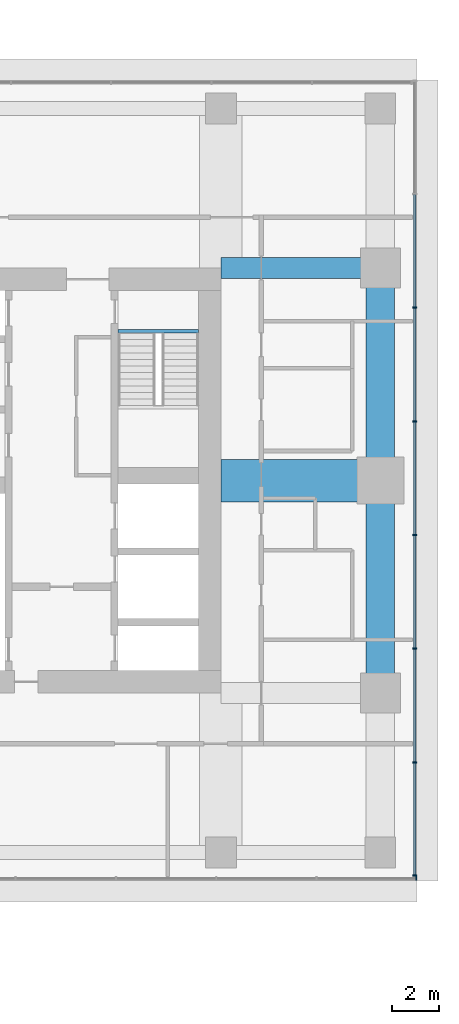
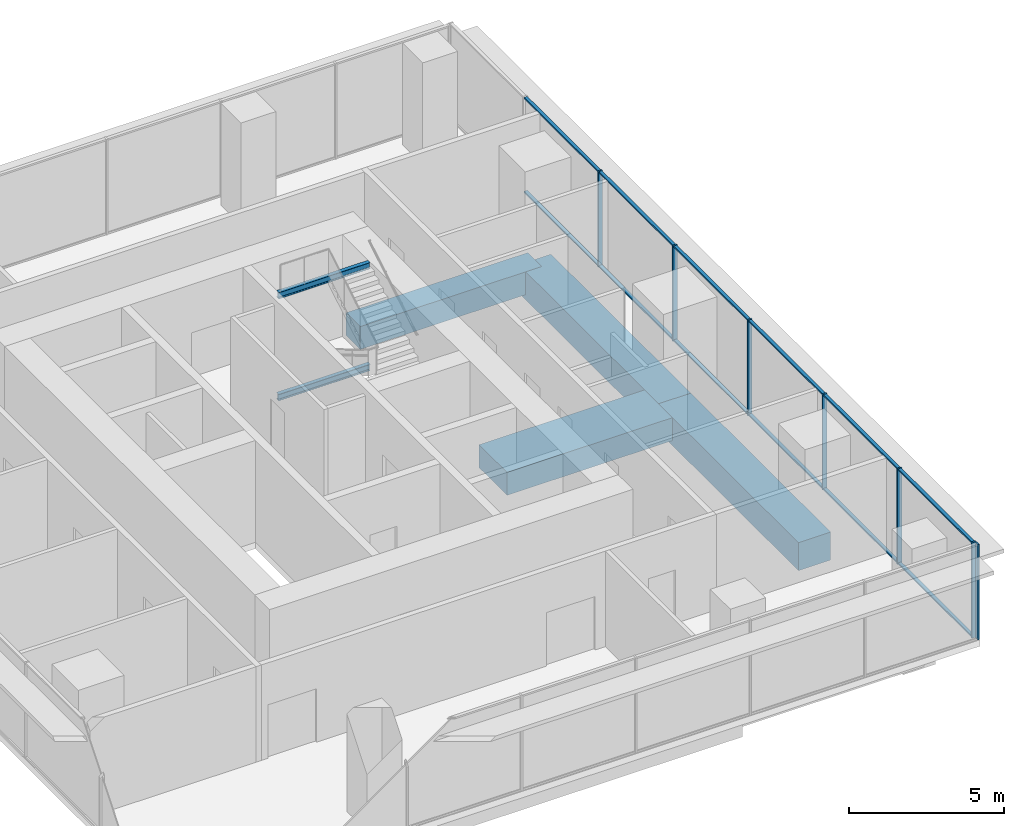
# One storey, part 4 of 14: 19 members, 6 beams, 2 elements without a shape of their own.
"""IFC4 building model written with IfcOpenShell, lengths in metres."""

from ifc_helpers import new_model, si_unit, direction, frame, origin, origin_2d, place, context, subcontext, project, spatial, rectangle, i_section, extrude, material, layer, layer_set, material_profile, profile_set, type_object, element, aggregate, save


model = new_model("IFC4")

# Units and contexts
model_context = context("Model", 3, precision=1e-05, world=origin(), true_north=direction((0.0, 1.0)))
body_context = subcontext(model_context, "Body", "Model", "MODEL_VIEW")
ifc_project = project(units=[si_unit("LENGTHUNIT", "METRE"), si_unit("AREAUNIT", "SQUARE_METRE"), si_unit("VOLUMEUNIT", "CUBIC_METRE"), si_unit("PLANEANGLEUNIT", "RADIAN"), si_unit("MASSUNIT", "GRAM", prefix="KILO")], contexts=[model_context])

# Site, building, storey
site_placement = place(None, origin())
site = spatial("IfcSite", under=ifc_project, at=site_placement, CompositionType="ELEMENT")
building_placement = place(site_placement, origin())
building = spatial("IfcBuilding", under=site, at=building_placement, Name="Namib Vertical Campus", CompositionType="ELEMENT")
storey_placement = place(building_placement, frame((0.0, 0.0, 233.0)))
storey = spatial("IfcBuildingStorey", under=building, at=storey_placement, Name="L55", CompositionType="ELEMENT", Elevation=233.0)

# Curtain wall, member
ifc_material_1 = material(Name="Black aluminium curtain wall", Category="aluminium")
ifc_layer = layer(ifc_material_1, 0.199951171875)
ifc_layer_set = layer_set([ifc_layer], Name="Sky lounge curtain wall CW-SL")
curtain_wall_type = type_object("IfcCurtainWallType", Name="Sky lounge curtain wall CW-SL", PredefinedType="USERDEFINED", material=ifc_layer_set)
curtain_wall_1_placement = place(storey_placement, origin())
curtain_wall_1 = element("IfcCurtainWall", 1, at=curtain_wall_1_placement, inside=storey, type_object=curtain_wall_type, Name="Curtain wall CW-SL L55 F01-1", ObjectType="CURTAIN WALL", PredefinedType="USERDEFINED")
ifc_material_2 = material(Name="Black anodised aluminium", Category="aluminium")
ifc_material_profile_1 = material_profile(ifc_material_2, rectangle(XDim=0.06005859375, YDim=0.159912109375, at=origin_2d()))
ifc_profile_set_1 = profile_set([ifc_material_profile_1], Name="Black anodised aluminium")
member_type_1 = type_object("IfcMemberType", Name="Curtain wall mullion 60x160", PredefinedType="MULLION", material=ifc_profile_set_1)
member_1_placement = place(storey_placement, frame((96.02001953125, 3.39990234375, 0.0), z_axis=(0.0, 0.0, 1.0), x_axis=(1.0, 0.0, 0.0)))
member_1 = element("IfcMember", 2, at=member_1_placement, type_object=member_type_1, Name="CW-SL mullion 8", PredefinedType="MULLION", context=body_context, shape_type="SweptSolid", body=[
    extrude(rectangle(XDim=0.06005859375, YDim=0.159912109375, at=origin_2d()), origin(), (0.0, 0.0, 1.0), 3.75),
])
aggregate(curtain_wall_1, [member_1])

# Curtain wall, members
curtain_wall_2_placement = place(storey_placement, origin())
curtain_wall_2 = element("IfcCurtainWall", 3, at=curtain_wall_2_placement, inside=storey, type_object=curtain_wall_type, Name="Curtain wall CW-SL L55 F02-1", ObjectType="CURTAIN WALL", PredefinedType="USERDEFINED")
member_2_placement = place(storey_placement, frame((95.949951171875, 3.530029296875, 0.0), z_axis=(0.0, 0.0, 1.0), x_axis=(0.0, 1.0, 0.0)))
member_2 = element("IfcMember", 4, at=member_2_placement, type_object=member_type_1, Name="CW-SL mullion 1", PredefinedType="MULLION", context=body_context, shape_type="SweptSolid", body=[
    extrude(rectangle(XDim=0.06005859375, YDim=0.159912109375, at=origin_2d()), origin(), (0.0, 0.0, 1.0), 3.75),
])
member_3_placement = place(storey_placement, frame((95.949951171875, 8.314208984375, 0.0), z_axis=(0.0, 0.0, 1.0), x_axis=(0.0, 1.0, 0.0)))
member_3 = element("IfcMember", 5, at=member_3_placement, type_object=member_type_1, Name="CW-SL mullion 2", PredefinedType="MULLION", context=body_context, shape_type="SweptSolid", body=[
    extrude(rectangle(XDim=0.06005859375, YDim=0.159912109375, at=origin_2d()), origin(), (0.0, 0.0, 1.0), 3.75),
])
member_4_placement = place(storey_placement, frame((95.949951171875, 13.128662109375, 0.0), z_axis=(0.0, 0.0, 1.0), x_axis=(0.0, 1.0, 0.0)))
member_4 = element("IfcMember", 6, at=member_4_placement, type_object=member_type_1, Name="CW-SL mullion 3", PredefinedType="MULLION", context=body_context, shape_type="SweptSolid", body=[
    extrude(rectangle(XDim=0.06005859375, YDim=0.159912109375, at=origin_2d()), origin(), (0.0, 0.0, 1.0), 3.75),
])
member_5_placement = place(storey_placement, frame((95.949951171875, 17.94287109375, 0.0), z_axis=(0.0, 0.0, 1.0), x_axis=(0.0, 1.0, 0.0)))
member_5 = element("IfcMember", 7, at=member_5_placement, type_object=member_type_1, Name="CW-SL mullion 4", PredefinedType="MULLION", context=body_context, shape_type="SweptSolid", body=[
    extrude(rectangle(XDim=0.06005859375, YDim=0.159912109375, at=origin_2d()), origin(), (0.0, 0.0, 1.0), 3.75),
])
member_6_placement = place(storey_placement, frame((95.949951171875, 22.757080078125, 0.0), z_axis=(0.0, 0.0, 1.0), x_axis=(0.0, 1.0, 0.0)))
member_6 = element("IfcMember", 8, at=member_6_placement, type_object=member_type_1, Name="CW-SL mullion 5", PredefinedType="MULLION", context=body_context, shape_type="SweptSolid", body=[
    extrude(rectangle(XDim=0.06005859375, YDim=0.159912109375, at=origin_2d()), origin(), (0.0, 0.0, 1.0), 3.75),
])
member_7_placement = place(storey_placement, frame((95.949951171875, 27.571533203125, 0.0), z_axis=(0.0, 0.0, 1.0), x_axis=(0.0, 1.0, 0.0)))
member_7 = element("IfcMember", 9, at=member_7_placement, type_object=member_type_1, Name="CW-SL mullion 6", PredefinedType="MULLION", context=body_context, shape_type="SweptSolid", body=[
    extrude(rectangle(XDim=0.06005859375, YDim=0.159912109375, at=origin_2d()), origin(), (0.0, 0.0, 1.0), 3.75),
])
ifc_material_3 = material(Name="Black anodised aluminium", Category="aluminium")
ifc_material_profile_2 = material_profile(ifc_material_3, rectangle(XDim=0.06005859375, YDim=0.1201171875, at=origin_2d()))
ifc_profile_set_2 = profile_set([ifc_material_profile_2], Name="Black anodised aluminium")
member_type_2 = type_object("IfcMemberType", Name="Curtain wall transom 60x120", PredefinedType="USERDEFINED", material=ifc_profile_set_2)
member_8_placement = place(storey_placement, frame((95.949951171875, 3.56005859375, 0.030029296875), z_axis=(0.0, 1.0, 0.0), x_axis=(0.0, 0.0, 1.0)))
member_8 = element("IfcMember", 10, at=member_8_placement, type_object=member_type_2, Name="CW-SL transom 1.1", ObjectType="TRANSOM", PredefinedType="USERDEFINED", context=body_context, shape_type="SweptSolid", body=[
    extrude(rectangle(XDim=0.06005859375, YDim=0.1201171875, at=origin_2d()), origin(), (0.0, 0.0, 1.0), 4.72412109375),
])
member_9_placement = place(storey_placement, frame((95.949951171875, 3.56005859375, 3.719970703125), z_axis=(0.0, 1.0, 0.0), x_axis=(0.0, 0.0, 1.0)))
member_9 = element("IfcMember", 11, at=member_9_placement, type_object=member_type_2, Name="CW-SL transom 1.2", ObjectType="TRANSOM", PredefinedType="USERDEFINED", context=body_context, shape_type="SweptSolid", body=[
    extrude(rectangle(XDim=0.06005859375, YDim=0.1201171875, at=origin_2d()), origin(), (0.0, 0.0, 1.0), 4.72412109375),
])
member_10_placement = place(storey_placement, frame((95.949951171875, 8.34423828125, 0.030029296875), z_axis=(0.0, 1.0, 0.0), x_axis=(0.0, 0.0, 1.0)))
member_10 = element("IfcMember", 12, at=member_10_placement, type_object=member_type_2, Name="CW-SL transom 2.1", ObjectType="TRANSOM", PredefinedType="USERDEFINED", context=body_context, shape_type="SweptSolid", body=[
    extrude(rectangle(XDim=0.06005859375, YDim=0.1201171875, at=origin_2d()), origin(), (0.0, 0.0, 1.0), 4.75439453125),
])
member_11_placement = place(storey_placement, frame((95.949951171875, 8.34423828125, 3.719970703125), z_axis=(0.0, 1.0, 0.0), x_axis=(0.0, 0.0, 1.0)))
member_11 = element("IfcMember", 13, at=member_11_placement, type_object=member_type_2, Name="CW-SL transom 2.2", ObjectType="TRANSOM", PredefinedType="USERDEFINED", context=body_context, shape_type="SweptSolid", body=[
    extrude(rectangle(XDim=0.06005859375, YDim=0.1201171875, at=origin_2d()), origin(), (0.0, 0.0, 1.0), 4.75439453125),
])
member_12_placement = place(storey_placement, frame((95.949951171875, 13.15869140625, 0.030029296875), z_axis=(0.0, 1.0, 0.0), x_axis=(0.0, 0.0, 1.0)))
member_12 = element("IfcMember", 14, at=member_12_placement, type_object=member_type_2, Name="CW-SL transom 3.1", ObjectType="TRANSOM", PredefinedType="USERDEFINED", context=body_context, shape_type="SweptSolid", body=[
    extrude(rectangle(XDim=0.06005859375, YDim=0.1201171875, at=origin_2d()), origin(), (0.0, 0.0, 1.0), 4.754150390625),
])
member_13_placement = place(storey_placement, frame((95.949951171875, 13.15869140625, 3.719970703125), z_axis=(0.0, 1.0, 0.0), x_axis=(0.0, 0.0, 1.0)))
member_13 = element("IfcMember", 15, at=member_13_placement, type_object=member_type_2, Name="CW-SL transom 3.2", ObjectType="TRANSOM", PredefinedType="USERDEFINED", context=body_context, shape_type="SweptSolid", body=[
    extrude(rectangle(XDim=0.06005859375, YDim=0.1201171875, at=origin_2d()), origin(), (0.0, 0.0, 1.0), 4.754150390625),
])
member_14_placement = place(storey_placement, frame((95.949951171875, 17.972900390625, 0.030029296875), z_axis=(0.0, 1.0, 0.0), x_axis=(0.0, 0.0, 1.0)))
member_14 = element("IfcMember", 16, at=member_14_placement, type_object=member_type_2, Name="CW-SL transom 4.1", ObjectType="TRANSOM", PredefinedType="USERDEFINED", context=body_context, shape_type="SweptSolid", body=[
    extrude(rectangle(XDim=0.06005859375, YDim=0.1201171875, at=origin_2d()), origin(), (0.0, 0.0, 1.0), 4.754150390625),
])
member_15_placement = place(storey_placement, frame((95.949951171875, 17.972900390625, 3.719970703125), z_axis=(0.0, 1.0, 0.0), x_axis=(0.0, 0.0, 1.0)))
member_15 = element("IfcMember", 17, at=member_15_placement, type_object=member_type_2, Name="CW-SL transom 4.2", ObjectType="TRANSOM", PredefinedType="USERDEFINED", context=body_context, shape_type="SweptSolid", body=[
    extrude(rectangle(XDim=0.06005859375, YDim=0.1201171875, at=origin_2d()), origin(), (0.0, 0.0, 1.0), 4.754150390625),
])
member_16_placement = place(storey_placement, frame((95.949951171875, 22.787109375, 0.030029296875), z_axis=(0.0, 1.0, 0.0), x_axis=(0.0, 0.0, 1.0)))
member_16 = element("IfcMember", 18, at=member_16_placement, type_object=member_type_2, Name="CW-SL transom 5.1", ObjectType="TRANSOM", PredefinedType="USERDEFINED", context=body_context, shape_type="SweptSolid", body=[
    extrude(rectangle(XDim=0.06005859375, YDim=0.1201171875, at=origin_2d()), origin(), (0.0, 0.0, 1.0), 4.75439453125),
])
member_17_placement = place(storey_placement, frame((95.949951171875, 22.787109375, 3.719970703125), z_axis=(0.0, 1.0, 0.0), x_axis=(0.0, 0.0, 1.0)))
member_17 = element("IfcMember", 19, at=member_17_placement, type_object=member_type_2, Name="CW-SL transom 5.2", ObjectType="TRANSOM", PredefinedType="USERDEFINED", context=body_context, shape_type="SweptSolid", body=[
    extrude(rectangle(XDim=0.06005859375, YDim=0.1201171875, at=origin_2d()), origin(), (0.0, 0.0, 1.0), 4.75439453125),
])
member_18_placement = place(storey_placement, frame((95.949951171875, 27.601318359375, 0.030029296875), z_axis=(0.0, 1.0, 0.0), x_axis=(0.0, 0.0, 1.0)))
member_18 = element("IfcMember", 20, at=member_18_placement, type_object=member_type_2, Name="CW-SL transom 6.1", ObjectType="TRANSOM", PredefinedType="USERDEFINED", context=body_context, shape_type="SweptSolid", body=[
    extrude(rectangle(XDim=0.06005859375, YDim=0.1201171875, at=origin_2d()), origin(), (0.0, 0.0, 1.0), 4.75439453125),
])
member_19_placement = place(storey_placement, frame((95.949951171875, 27.601318359375, 3.719970703125), z_axis=(0.0, 1.0, 0.0), x_axis=(0.0, 0.0, 1.0)))
member_19 = element("IfcMember", 21, at=member_19_placement, type_object=member_type_2, Name="CW-SL transom 6.2", ObjectType="TRANSOM", PredefinedType="USERDEFINED", context=body_context, shape_type="SweptSolid", body=[
    extrude(rectangle(XDim=0.06005859375, YDim=0.1201171875, at=origin_2d()), origin(), (0.0, 0.0, 1.0), 4.75439453125),
])
aggregate(curtain_wall_2, [member_2, member_3, member_4, member_5, member_6, member_7, member_8, member_9, member_10, member_11, member_12, member_13, member_14, member_15, member_16, member_17, member_18, member_19])

# Beams
ifc_material_4 = material(Name="Concrete C40/50", Category="concrete")
ifc_material_profile_3 = material_profile(ifc_material_4, rectangle(XDim=0.89990234375, YDim=0.89990234375, at=origin_2d()))
ifc_profile_set_3 = profile_set([ifc_material_profile_3], Name="Concrete C40/50")
beam_type_1 = type_object("IfcBeamType", Name="Face girder RC 900x900", PredefinedType="BEAM", material=ifc_profile_set_3)
beam_1_placement = place(storey_placement, frame((94.5, 29.25, -0.699951171875), z_axis=(-1.0, 0.0, 0.0), x_axis=(0.0, -1.0, 0.0)))
element("IfcBeam", 22, at=beam_1_placement, inside=storey, type_object=beam_type_1, Name="Beam B10 L55", PredefinedType="BEAM", context=body_context, shape_type="SweptSolid", body=[
    extrude(rectangle(XDim=0.89990234375, YDim=0.89990234375, at=origin_2d()), origin(), (0.0, 0.0, 1.0), 6.75),
])
ifc_material_5 = material(Name="Concrete C40/50", Category="concrete")
ifc_material_profile_4 = material_profile(ifc_material_5, rectangle(XDim=1.199951171875, YDim=1.10009765625, at=origin_2d()))
ifc_profile_set_4 = profile_set([ifc_material_profile_4], Name="Concrete C40/50")
beam_type_2 = type_object("IfcBeamType", Name="Face ring beam RC 1200x1100", PredefinedType="BEAM", material=ifc_profile_set_4)
for number, where, z_axis, x_axis, name in (
    (23, (94.5, 11.25, -0.800048828125), (0.0, 1.0, 0.0), (-1.0, 0.0, 0.0), "Beam B11 L55"),
    (24, (94.5, 20.25, -0.800048828125), (0.0, 1.0, 0.0), (-1.0, 0.0, 0.0), "Beam B11 L55"),
):
    element("IfcBeam", number, at=place(storey_placement, frame(where, z_axis=z_axis, x_axis=x_axis)), inside=storey, type_object=beam_type_2, Name=name, PredefinedType="BEAM", context=body_context, shape_type="SweptSolid", body=[
        extrude(rectangle(XDim=1.199951171875, YDim=1.10009765625, at=origin_2d()), origin(), (0.0, 0.0, 1.0), 9.0),
    ])
ifc_material_6 = material(Name="Steel S355JR", Category="steel")
ifc_material_profile_5 = material_profile(ifc_material_6, i_section(OverallWidth=0.14599609375, OverallDepth=0.25146484375, WebThickness=0.006103515625, FlangeThickness=0.008544921875, FilletRadius=0.007568359375, at=origin_2d()))
ifc_profile_set_5 = profile_set([ifc_material_profile_5], Name="Steel S355JR")
beam_type_3 = type_object("IfcBeamType", Name="Landing trimmer UB 254x146x31", PredefinedType="BEAM", material=ifc_profile_set_5)
for number, where, z_axis, x_axis, name in (
    (25, (83.39990234375, 26.572998046875, -0.125732421875), (1.0, 0.0, 0.0), (0.0, 1.0, 0.0), "Landing trimmer LT1 B-S2 L55 1"),
    (26, (83.39990234375, 26.572998046875, 3.874267578125), (1.0, 0.0, 0.0), (0.0, 1.0, 0.0), "Landing trimmer LT1 B-S2 L55 3"),
):
    element("IfcBeam", number, at=place(storey_placement, frame(where, z_axis=z_axis, x_axis=x_axis)), inside=storey, type_object=beam_type_3, Name=name, PredefinedType="BEAM", context=body_context, shape_type="SweptSolid", body=[
        extrude(i_section(OverallWidth=0.14599609375, OverallDepth=0.25146484375, WebThickness=0.006103515625, FlangeThickness=0.008544921875, FilletRadius=0.007568359375, at=origin_2d()), origin(), (0.0, 0.0, 1.0), 3.400146484375),
    ])
ifc_material_7 = material(Name="Concrete C40/50", Category="concrete")
ifc_material_profile_6 = material_profile(ifc_material_7, rectangle(XDim=1.800048828125, YDim=0.89990234375, at=origin_2d()))
ifc_profile_set_6 = profile_set([ifc_material_profile_6], Name="Concrete C40/50")
beam_type_4 = type_object("IfcBeamType", Name="Outrigger line girder RC 1800x900", PredefinedType="BEAM", material=ifc_profile_set_6)
beam_2_placement = place(storey_placement, frame((94.5, 20.25, -0.699951171875), z_axis=(-1.0, 0.0, 0.0), x_axis=(0.0, -1.0, 0.0)))
element("IfcBeam", 27, at=beam_2_placement, inside=storey, type_object=beam_type_4, Name="Beam B12 L55", PredefinedType="BEAM", context=body_context, shape_type="SweptSolid", body=[
    extrude(rectangle(XDim=1.800048828125, YDim=0.89990234375, at=origin_2d()), origin(), (0.0, 0.0, 1.0), 6.75),
])

save(model, "model.ifc")
